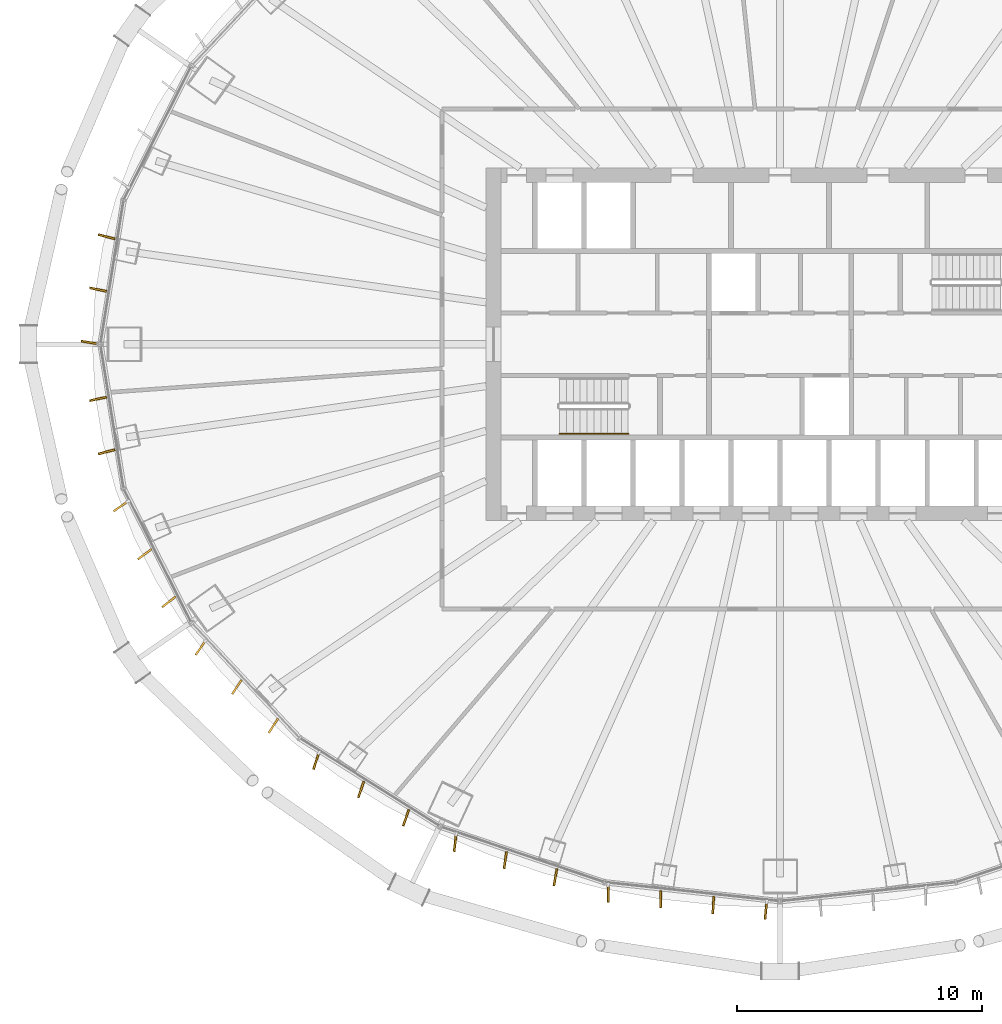
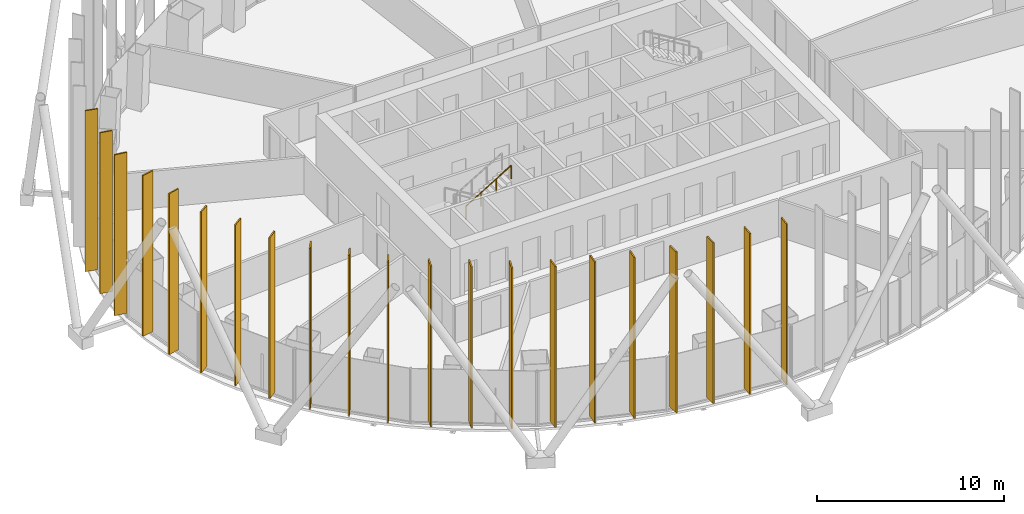
# One storey, part 19 of 22: 21 shading devices, 1 railing.
"""IFC4 building model written with IfcOpenShell, lengths in metres."""

from ifc_helpers import new_model, si_unit, direction, frame, origin, origin_2d, place, context, subcontext, project, spatial, rectangle, circle, extrude, material, layer, layer_set, type_object, element, save


model = new_model("IFC4")

# Units and contexts
model_context = context("Model", 3, precision=1e-05, world=origin(), true_north=direction((0.0, 1.0)))
body_context = subcontext(model_context, "Body", "Model", "MODEL_VIEW")
ifc_project = project(units=[si_unit("LENGTHUNIT", "METRE"), si_unit("AREAUNIT", "SQUARE_METRE"), si_unit("VOLUMEUNIT", "CUBIC_METRE"), si_unit("PLANEANGLEUNIT", "RADIAN"), si_unit("MASSUNIT", "GRAM", prefix="KILO")], contexts=[model_context])

# Site, building, storey
site_placement = place(None, origin())
site = spatial("IfcSite", under=ifc_project, at=site_placement, CompositionType="ELEMENT")
building_placement = place(site_placement, origin())
building = spatial("IfcBuilding", under=site, at=building_placement, Name="Siaravel Broadcast Tower", CompositionType="ELEMENT")
storey_placement = place(building_placement, frame((0.0, 0.0, 48.199951171875)))
storey = spatial("IfcBuildingStorey", under=building, at=storey_placement, Name="L10", CompositionType="ELEMENT", Elevation=48.199951171875)

# Shading devices
ifc_material_1 = material(Name="Bronze anodised aluminium", Category="aluminium")
ifc_layer = layer(ifc_material_1, 0.080078125)
ifc_layer_set = layer_set([ifc_layer], Name="Bronze anodised aluminium")
shading_device_type = type_object("IfcShadingDeviceType", Name="Bronze fin zone 1", PredefinedType="USERDEFINED", material=ifc_layer_set)
for number, where, z_axis, x_axis, name in (
    (1, (-27.47900390625, 4.388427734375, 0.300048828125), (0.0, 0.0, 1.0), (-0.968787269, 0.247893579, 0.0), "Bronze fin L10-35"),
    (2, (-27.826904296875, 2.22998046875, 0.300048828125), (0.0, 0.0, 1.0), (-0.978934079, 0.204176562, 0.0), "Bronze fin L10-36"),
    (3, (-28.17431640625, 0.071044921875, 0.300048828125), (0.0, 0.0, 1.0), (-0.987329198, 0.158685394, 0.0), "Bronze fin L10-37"),
    (4, (-27.826904296875, -2.22998046875, 0.300048828125), (0.0, 0.0, 1.0), (-0.978934079, -0.204176562, 0.0), "Bronze fin L10-38"),
    (5, (-27.47900390625, -4.388427734375, 0.300048828125), (0.0, 0.0, 1.0), (-0.968787269, -0.247893579, 0.0), "Bronze fin L10-39"),
    (6, (-26.913330078125, -6.61865234375, 0.300048828125), (0.0, 0.0, 1.0), (-0.825232792, -0.564792739, 0.0), "Bronze fin L10-40"),
    (7, (-25.926513671875, -8.56591796875, 0.300048828125), (0.0, 0.0, 1.0), (-0.804588156, -0.593833225, 0.0), "Bronze fin L10-41"),
    (8, (-24.94091796875, -10.51123046875, 0.300048828125), (0.0, 0.0, 1.0), (-0.786436146, -0.617671586, 0.0), "Bronze fin L10-42"),
    (9, (-23.653076171875, -12.394287109375, 0.300048828125), (0.0, 0.0, 1.0), (-0.562882829, -0.826536702, 0.0), "Bronze fin L10-43"),
    (10, (-22.164794921875, -13.9814453125, 0.300048828125), (0.0, 0.0, 1.0), (-0.550251957, -0.834998673, 0.0), "Bronze fin L10-44"),
    (11, (-20.6787109375, -15.56689453125, 0.300048828125), (0.0, 0.0, 1.0), (-0.543659411, -0.83930593, 0.0), "Bronze fin L10-45"),
    (12, (-18.933837890625, -17.01123046875, 0.300048828125), (0.0, 0.0, 1.0), (-0.312192326, -0.950018922, 0.0), "Bronze fin L10-46"),
    (13, (-17.098388671875, -18.16552734375, 0.300048828125), (0.0, 0.0, 1.0), (-0.318396836, -0.947957517, 0.0), "Bronze fin L10-47"),
    (14, (-15.264892578125, -19.319091796875, 0.300048828125), (0.0, 0.0, 1.0), (-0.330909702, -0.943662423, 0.0), "Bronze fin L10-48"),
    (15, (-13.261962890625, -20.35107421875, 0.300048828125), (0.0, 0.0, 1.0), (-0.121959424, -0.992535087, 0.0), "Bronze fin L10-49"),
    (16, (-11.21484375, -21.04736328125, 0.300048828125), (0.0, 0.0, 1.0), (-0.145751512, -0.98932123, 0.0), "Bronze fin L10-50"),
    (17, (-9.169189453125, -21.7431640625, 0.300048828125), (0.0, 0.0, 1.0), (-0.17418614, -0.984712744, 0.0), "Bronze fin L10-51"),
    (18, (-7.02001953125, -22.415771484375, 0.300048828125), (0.0, 0.0, 1.0), (0.012194313, -0.999925647, 0.0), "Bronze fin L10-52"),
    (19, (-4.8740234375, -22.648193359375, 0.300048828125), (0.0, 0.0, 1.0), (-0.022594855, -0.999744704, 0.0), "Bronze fin L10-53"),
    (20, (-2.72900390625, -22.880615234375, 0.300048828125), (0.0, 0.0, 1.0), (-0.059717541, -0.998215315, 0.0), "Bronze fin L10-54"),
    (21, (-0.584228515625, -23.1123046875, 0.300048828125), (0.0, 0.0, 1.0), (-0.097742702, -0.995211718, 0.0), "Bronze fin L10-55"),
):
    element("IfcShadingDevice", number, at=place(storey_placement, frame(where, z_axis=z_axis, x_axis=x_axis)), inside=storey, type_object=shading_device_type, Name=name, ObjectType="FIN", PredefinedType="USERDEFINED", context=body_context, shape_type="SweptSolid", body=[
        extrude(rectangle(XDim=0.699951171875, YDim=0.080078125, at=origin_2d()), origin(), (0.0, 0.0, 1.0), 10.5),
    ])

# Railing
ifc_material_2 = material(Name="Stainless steel 316L", Category="steel")
railing_type = type_object("IfcRailingType", Name="Stair handrail 900", PredefinedType="HANDRAIL", material=ifc_material_2)
railing_placement = place(storey_placement, frame((-9.0, -3.64990234375, 2.018310546875)))
element("IfcRailing", 22, at=railing_placement, inside=storey, type_object=railing_type, Name="L10 ST-1 stair handrail 2", PredefinedType="HANDRAIL", context=body_context, shape_type="SweptSolid", body=[
    extrude(circle(Radius=0.02392578125, at=origin_2d()), frame((0.0, 0.0, 0.8759765625), z_axis=(0.857275203, 0.0, 0.514858453), x_axis=(0.0, 1.0, 0.0)), (0.0, 0.0, 1.0), 3.26611328125),
    extrude(circle(Radius=0.02099609375, at=origin_2d()), origin(), (0.0, 0.0, 1.0), 0.851806640625),
    extrude(circle(Radius=0.02099609375, at=origin_2d()), frame((0.933349609375, 0.0, 0.560546875)), (0.0, 0.0, 1.0), 0.851806640625),
    extrude(circle(Radius=0.02099609375, at=origin_2d()), frame((1.86669921875, 0.0, 1.12109375)), (0.0, 0.0, 1.0), 0.851806640625),
    extrude(circle(Radius=0.02099609375, at=origin_2d()), frame((2.800048828125, 0.0, 1.681640625)), (0.0, 0.0, 1.0), 0.851806640625),
])

save(model, "model.ifc")
